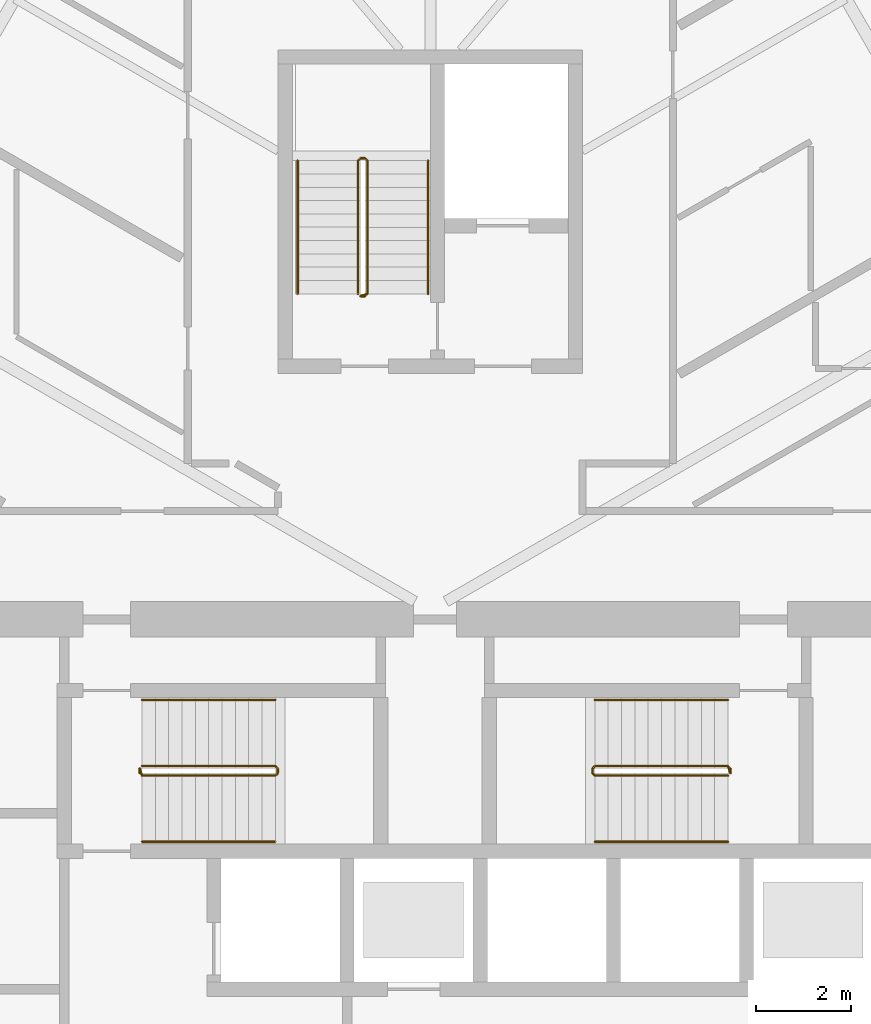
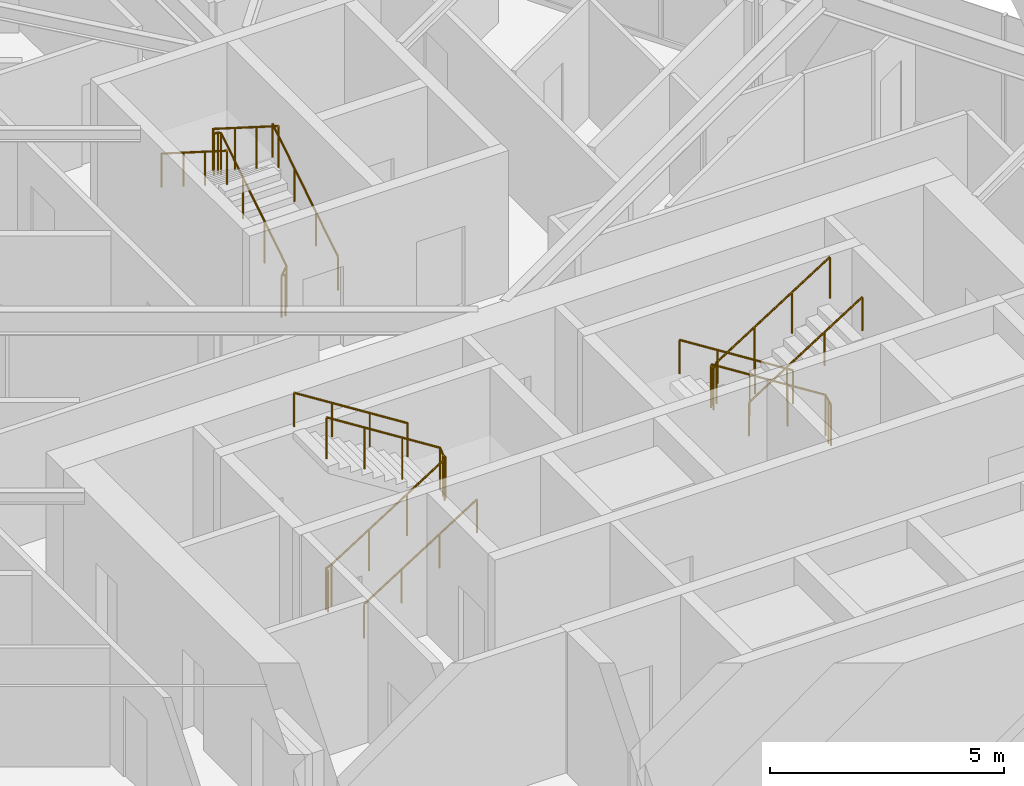
# One storey, part 18 of 19: 9 railings.
"""IFC4 building model written with IfcOpenShell, lengths in metres."""

from ifc_helpers import new_model, si_unit, direction, frame, origin, origin_2d, place, context, subcontext, project, spatial, circle, extrude, material, type_object, element, save


model = new_model("IFC4")

# Units and contexts
model_context = context("Model", 3, precision=1e-05, world=origin(), true_north=direction((0.0, 1.0)))
body_context = subcontext(model_context, "Body", "Model", "MODEL_VIEW")
ifc_project = project(units=[si_unit("LENGTHUNIT", "METRE"), si_unit("AREAUNIT", "SQUARE_METRE"), si_unit("VOLUMEUNIT", "CUBIC_METRE"), si_unit("PLANEANGLEUNIT", "RADIAN"), si_unit("MASSUNIT", "GRAM", prefix="KILO")], contexts=[model_context])

# Site, building, storey
site_placement = place(None, origin())
site = spatial("IfcSite", under=ifc_project, at=site_placement, CompositionType="ELEMENT")
building_placement = place(site_placement, origin())
building = spatial("IfcBuilding", under=site, at=building_placement, Name="Firuza Gate Tower and Library", CompositionType="ELEMENT")
storey_placement = place(building_placement, frame((0.0, 0.0, 218.199951171875)))
storey = spatial("IfcBuildingStorey", under=building, at=storey_placement, Name="L51", CompositionType="ELEMENT", Elevation=218.199951171875)

# Railings
ifc_material_1 = material(Name="Steel S355", Category="steel")
railing_type_1 = type_object("IfcRailingType", Name="Stair guard 1100", PredefinedType="GUARDRAIL", material=ifc_material_1)
railing_1_placement = place(storey_placement, frame((68.889892578125, 79.389892578125, 0.0)))
element("IfcRailing", 1, at=railing_1_placement, inside=storey, type_object=railing_type_1, Name="L51 ST1 stair guard 1", PredefinedType="GUARDRAIL", context=body_context, shape_type="SweptSolid", body=[
    extrude(circle(Radius=0.02392578125, at=origin_2d()), frame((0.0, 0.0, 1.076171875), z_axis=(0.0, 1.0, 0.0), x_axis=(-1.0, 0.0, 0.0)), (0.0, 0.0, 1.0), 0.10009765625),
    extrude(circle(Radius=0.02392578125, at=origin_2d()), frame((0.0, 0.10009765625, 1.076171875), z_axis=(0.210758951027, -0.631248760638, 0.74639511437), x_axis=(0.948528701346, 0.316691178788, 0.0)), (0.0, 0.0, 1.0), 0.237548828125),
    extrude(circle(Radius=0.02392578125, at=origin_2d()), frame((0.050048828125, -0.0498046875, 1.25341796875), z_axis=(0.844908973607, 0.0, 0.534910110503), x_axis=(0.0, 1.0, 0.0)), (0.0, 0.0, 1.0), 3.31396484375),
    extrude(circle(Radius=0.02392578125, at=origin_2d()), frame((2.85009765625, -0.0498046875, 3.02587890625), z_axis=(0.708833529934, 0.705375805398, 0.0), x_axis=(-0.705375805398, 0.708833529934, 0.0)), (0.0, 0.0, 1.0), 0.070556640625),
    extrude(circle(Radius=0.02392578125, at=origin_2d()), frame((2.900146484375, 0.0, 3.02587890625), z_axis=(0.0, 1.0, 0.0), x_axis=(-1.0, 0.0, 0.0)), (0.0, 0.0, 1.0), 0.10009765625),
    extrude(circle(Radius=0.02392578125, at=origin_2d()), frame((2.900146484375, 0.10009765625, 3.02587890625), z_axis=(-0.261922500866, 0.261922500866, 0.928866625022), x_axis=(-0.707106781187, -0.707106781187, 0.0)), (0.0, 0.0, 1.0), 0.191162109375),
    extrude(circle(Radius=0.02392578125, at=origin_2d()), frame((2.85009765625, 0.150146484375, 3.20361328125), z_axis=(-0.844908973607, 0.0, 0.534910110503), x_axis=(0.0, -1.0, 0.0)), (0.0, 0.0, 1.0), 3.31396484375),
    extrude(circle(Radius=0.02099609375, at=origin_2d()), origin(), (0.0, 0.0, 1.0), 1.052001953125),
    extrude(circle(Radius=0.02099609375, at=origin_2d()), frame((0.0, 0.10009765625, 0.0)), (0.0, 0.0, 1.0), 1.052001953125),
    extrude(circle(Radius=0.02099609375, at=origin_2d()), frame((0.050048828125, -0.0498046875, 0.17724609375)), (0.0, 0.0, 1.0), 1.052001953125),
    extrude(circle(Radius=0.02099609375, at=origin_2d()), frame((0.9833984375, -0.0498046875, 0.76806640625)), (0.0, 0.0, 1.0), 1.052001953125),
    extrude(circle(Radius=0.02099609375, at=origin_2d()), frame((1.916748046875, -0.0498046875, 1.359130859375)), (0.0, 0.0, 1.0), 1.052001953125),
    extrude(circle(Radius=0.02099609375, at=origin_2d()), frame((2.85009765625, -0.0498046875, 1.949951171875)), (0.0, 0.0, 1.0), 1.052001953125),
    extrude(circle(Radius=0.02099609375, at=origin_2d()), frame((2.900146484375, 0.0, 1.949951171875)), (0.0, 0.0, 1.0), 1.052001953125),
    extrude(circle(Radius=0.02099609375, at=origin_2d()), frame((2.900146484375, 0.10009765625, 1.949951171875)), (0.0, 0.0, 1.0), 1.052001953125),
    extrude(circle(Radius=0.02099609375, at=origin_2d()), frame((2.85009765625, 0.150146484375, 2.12744140625)), (0.0, 0.0, 1.0), 1.052001953125),
    extrude(circle(Radius=0.02099609375, at=origin_2d()), frame((1.916748046875, 0.150146484375, 2.71826171875)), (0.0, 0.0, 1.0), 1.052001953125),
    extrude(circle(Radius=0.02099609375, at=origin_2d()), frame((0.9833984375, 0.150146484375, 3.309326171875)), (0.0, 0.0, 1.0), 1.052001953125),
    extrude(circle(Radius=0.02099609375, at=origin_2d()), frame((0.050048828125, 0.150146484375, 3.900146484375)), (0.0, 0.0, 1.0), 1.052001953125),
])
railing_2_placement = place(storey_placement, frame((81.31005859375, 79.489990234375, 0.0)))
element("IfcRailing", 2, at=railing_2_placement, inside=storey, type_object=railing_type_1, Name="L51 ST2 stair guard 1", PredefinedType="GUARDRAIL", context=body_context, shape_type="SweptSolid", body=[
    extrude(circle(Radius=0.02392578125, at=origin_2d()), frame((0.0, 0.0, 1.076171875), z_axis=(0.0, -1.0, 0.0), x_axis=(1.0, 0.0, 0.0)), (0.0, 0.0, 1.0), 0.10009765625),
    extrude(circle(Radius=0.02392578125, at=origin_2d()), frame((0.0, -0.10009765625, 1.076171875), z_axis=(-0.210622194084, 0.631866582253, 0.74591079466), x_axis=(-0.948683298051, -0.316227766017, 0.0)), (0.0, 0.0, 1.0), 0.237548828125),
    extrude(circle(Radius=0.02392578125, at=origin_2d()), frame((-0.050048828125, 0.050048828125, 1.25341796875), z_axis=(-0.844908973607, 0.0, 0.534910110503), x_axis=(0.0, -1.0, 0.0)), (0.0, 0.0, 1.0), 3.31396484375),
    extrude(circle(Radius=0.02392578125, at=origin_2d()), frame((-2.85009765625, 0.050048828125, 3.02587890625), z_axis=(-0.707106781187, -0.707106781187, 0.0), x_axis=(0.707106781187, -0.707106781187, 0.0)), (0.0, 0.0, 1.0), 0.07080078125),
    extrude(circle(Radius=0.02392578125, at=origin_2d()), frame((-2.900146484375, 0.0, 3.02587890625), z_axis=(0.0, -1.0, 0.0), x_axis=(1.0, 0.0, 0.0)), (0.0, 0.0, 1.0), 0.10009765625),
    extrude(circle(Radius=0.02392578125, at=origin_2d()), frame((-2.900146484375, -0.10009765625, 3.02587890625), z_axis=(0.262009983441, -0.260731885961, 0.929176868105), x_axis=(0.705375805398, 0.708833529934, 0.0)), (0.0, 0.0, 1.0), 0.19091796875),
    extrude(circle(Radius=0.02392578125, at=origin_2d()), frame((-2.85009765625, -0.14990234375, 3.20361328125), z_axis=(0.844908973607, 0.0, 0.534910110503), x_axis=(0.0, 1.0, 0.0)), (0.0, 0.0, 1.0), 3.31396484375),
    extrude(circle(Radius=0.02099609375, at=origin_2d()), origin(), (0.0, 0.0, 1.0), 1.052001953125),
    extrude(circle(Radius=0.02099609375, at=origin_2d()), frame((0.0, -0.10009765625, 0.0)), (0.0, 0.0, 1.0), 1.052001953125),
    extrude(circle(Radius=0.02099609375, at=origin_2d()), frame((-0.050048828125, 0.050048828125, 0.17724609375)), (0.0, 0.0, 1.0), 1.052001953125),
    extrude(circle(Radius=0.02099609375, at=origin_2d()), frame((-0.9833984375, 0.050048828125, 0.76806640625)), (0.0, 0.0, 1.0), 1.052001953125),
    extrude(circle(Radius=0.02099609375, at=origin_2d()), frame((-1.916748046875, 0.050048828125, 1.359130859375)), (0.0, 0.0, 1.0), 1.052001953125),
    extrude(circle(Radius=0.02099609375, at=origin_2d()), frame((-2.85009765625, 0.050048828125, 1.949951171875)), (0.0, 0.0, 1.0), 1.052001953125),
    extrude(circle(Radius=0.02099609375, at=origin_2d()), frame((-2.900146484375, 0.0, 1.949951171875)), (0.0, 0.0, 1.0), 1.052001953125),
    extrude(circle(Radius=0.02099609375, at=origin_2d()), frame((-2.900146484375, -0.10009765625, 1.949951171875)), (0.0, 0.0, 1.0), 1.052001953125),
    extrude(circle(Radius=0.02099609375, at=origin_2d()), frame((-2.85009765625, -0.14990234375, 2.12744140625)), (0.0, 0.0, 1.0), 1.052001953125),
    extrude(circle(Radius=0.02099609375, at=origin_2d()), frame((-1.916748046875, -0.14990234375, 2.71826171875)), (0.0, 0.0, 1.0), 1.052001953125),
    extrude(circle(Radius=0.02099609375, at=origin_2d()), frame((-0.9833984375, -0.14990234375, 3.309326171875)), (0.0, 0.0, 1.0), 1.052001953125),
    extrude(circle(Radius=0.02099609375, at=origin_2d()), frame((-0.050048828125, -0.14990234375, 3.900146484375)), (0.0, 0.0, 1.0), 1.052001953125),
])
railing_3_placement = place(storey_placement, frame((73.6298828125, 89.419921875, 0.0)))
element("IfcRailing", 3, at=railing_3_placement, inside=storey, type_object=railing_type_1, Name="L51 ST3 stair guard 1", PredefinedType="GUARDRAIL", context=body_context, shape_type="SweptSolid", body=[
    extrude(circle(Radius=0.02392578125, at=origin_2d()), frame((0.0, 0.0, 1.076171875), z_axis=(-1.0, 0.0, 0.0), x_axis=(0.0, -1.0, 0.0)), (0.0, 0.0, 1.0), 0.099853515625),
    extrude(circle(Radius=0.02392578125, at=origin_2d()), frame((-0.099853515625, 0.0, 1.076171875), z_axis=(0.631248760638, 0.210758951027, 0.74639511437), x_axis=(-0.316691178788, 0.948528701346, 0.0)), (0.0, 0.0, 1.0), 0.237548828125),
    extrude(circle(Radius=0.02392578125, at=origin_2d()), frame((0.050048828125, 0.050048828125, 1.25341796875), z_axis=(0.0, 0.844908973607, 0.534910110503), x_axis=(-1.0, 0.0, 0.0)), (0.0, 0.0, 1.0), 3.31396484375),
    extrude(circle(Radius=0.02392578125, at=origin_2d()), frame((0.050048828125, 2.85009765625, 3.02587890625), z_axis=(-0.707106781187, 0.707106781187, 0.0), x_axis=(-0.707106781187, -0.707106781187, 0.0)), (0.0, 0.0, 1.0), 0.07080078125),
    extrude(circle(Radius=0.02392578125, at=origin_2d()), frame((0.0, 2.900146484375, 3.02587890625), z_axis=(-1.0, 0.0, 0.0), x_axis=(0.0, -1.0, 0.0)), (0.0, 0.0, 1.0), 0.099853515625),
    extrude(circle(Radius=0.02392578125, at=origin_2d()), frame((-0.099853515625, 2.900146484375, 3.02587890625), z_axis=(-0.261922500866, -0.261922500866, 0.928866625022), x_axis=(0.707106781187, -0.707106781187, 0.0)), (0.0, 0.0, 1.0), 0.191162109375),
    extrude(circle(Radius=0.02392578125, at=origin_2d()), frame((-0.14990234375, 2.85009765625, 3.20361328125), z_axis=(0.0, -0.844908973607, 0.534910110503), x_axis=(1.0, 0.0, 0.0)), (0.0, 0.0, 1.0), 3.31396484375),
    extrude(circle(Radius=0.02099609375, at=origin_2d()), origin(), (0.0, 0.0, 1.0), 1.052001953125),
    extrude(circle(Radius=0.02099609375, at=origin_2d()), frame((-0.099853515625, 0.0, 0.0)), (0.0, 0.0, 1.0), 1.052001953125),
    extrude(circle(Radius=0.02099609375, at=origin_2d()), frame((0.050048828125, 0.050048828125, 0.17724609375)), (0.0, 0.0, 1.0), 1.052001953125),
    extrude(circle(Radius=0.02099609375, at=origin_2d()), frame((0.050048828125, 0.9833984375, 0.76806640625)), (0.0, 0.0, 1.0), 1.052001953125),
    extrude(circle(Radius=0.02099609375, at=origin_2d()), frame((0.050048828125, 1.916748046875, 1.359130859375)), (0.0, 0.0, 1.0), 1.052001953125),
    extrude(circle(Radius=0.02099609375, at=origin_2d()), frame((0.050048828125, 2.85009765625, 1.949951171875)), (0.0, 0.0, 1.0), 1.052001953125),
    extrude(circle(Radius=0.02099609375, at=origin_2d()), frame((0.0, 2.900146484375, 1.949951171875)), (0.0, 0.0, 1.0), 1.052001953125),
    extrude(circle(Radius=0.02099609375, at=origin_2d()), frame((-0.099853515625, 2.900146484375, 1.949951171875)), (0.0, 0.0, 1.0), 1.052001953125),
    extrude(circle(Radius=0.02099609375, at=origin_2d()), frame((-0.14990234375, 2.85009765625, 2.12744140625)), (0.0, 0.0, 1.0), 1.052001953125),
    extrude(circle(Radius=0.02099609375, at=origin_2d()), frame((-0.14990234375, 1.916748046875, 2.71826171875)), (0.0, 0.0, 1.0), 1.052001953125),
    extrude(circle(Radius=0.02099609375, at=origin_2d()), frame((-0.14990234375, 0.9833984375, 3.309326171875)), (0.0, 0.0, 1.0), 1.052001953125),
    extrude(circle(Radius=0.02099609375, at=origin_2d()), frame((-0.14990234375, 0.050048828125, 3.900146484375)), (0.0, 0.0, 1.0), 1.052001953125),
])
ifc_material_2 = material(Name="Steel S355", Category="steel")
railing_type_2 = type_object("IfcRailingType", Name="Stair handrail 900", PredefinedType="HANDRAIL", material=ifc_material_2)
railing_4_placement = place(storey_placement, frame((68.93994140625, 77.949951171875, 0.17724609375)))
element("IfcRailing", 4, at=railing_4_placement, inside=storey, type_object=railing_type_2, Name="L51 ST1 stair handrail 1", PredefinedType="HANDRAIL", context=body_context, shape_type="SweptSolid", body=[
    extrude(circle(Radius=0.02392578125, at=origin_2d()), frame((0.0, 0.0, 0.8759765625), z_axis=(0.844908973607, 0.0, 0.534910110503), x_axis=(0.0, 1.0, 0.0)), (0.0, 0.0, 1.0), 3.31396484375),
    extrude(circle(Radius=0.02099609375, at=origin_2d()), origin(), (0.0, 0.0, 1.0), 0.851806640625),
    extrude(circle(Radius=0.02099609375, at=origin_2d()), frame((0.933349609375, 0.0, 0.5908203125)), (0.0, 0.0, 1.0), 0.851806640625),
    extrude(circle(Radius=0.02099609375, at=origin_2d()), frame((1.86669921875, 0.0, 1.181884765625)), (0.0, 0.0, 1.0), 0.851806640625),
    extrude(circle(Radius=0.02099609375, at=origin_2d()), frame((2.800048828125, 0.0, 1.772705078125)), (0.0, 0.0, 1.0), 0.851806640625),
])
for number, where, name in (
    (5, (71.739990234375, 80.929931640625, 2.12744140625), "L51 ST1 stair handrail 2"),
    (6, (81.260009765625, 80.929931640625, 0.17724609375), "L51 ST2 stair handrail 1"),
):
    element("IfcRailing", number, at=place(storey_placement, frame(where)), inside=storey, type_object=railing_type_2, Name=name, PredefinedType="HANDRAIL", context=body_context, shape_type="SweptSolid", body=[
        extrude(circle(Radius=0.02392578125, at=origin_2d()), frame((0.0, 0.0, 0.8759765625), z_axis=(-0.844908973607, 0.0, 0.534910110503), x_axis=(0.0, -1.0, 0.0)), (0.0, 0.0, 1.0), 3.31396484375),
        extrude(circle(Radius=0.02099609375, at=origin_2d()), origin(), (0.0, 0.0, 1.0), 0.851806640625),
        extrude(circle(Radius=0.02099609375, at=origin_2d()), frame((-0.933349609375, 0.0, 0.5908203125)), (0.0, 0.0, 1.0), 0.851806640625),
        extrude(circle(Radius=0.02099609375, at=origin_2d()), frame((-1.86669921875, 0.0, 1.181884765625)), (0.0, 0.0, 1.0), 0.851806640625),
        extrude(circle(Radius=0.02099609375, at=origin_2d()), frame((-2.800048828125, 0.0, 1.772705078125)), (0.0, 0.0, 1.0), 0.851806640625),
    ])
railing_5_placement = place(storey_placement, frame((78.4599609375, 77.949951171875, 2.12744140625)))
element("IfcRailing", 7, at=railing_5_placement, inside=storey, type_object=railing_type_2, Name="L51 ST2 stair handrail 2", PredefinedType="HANDRAIL", context=body_context, shape_type="SweptSolid", body=[
    extrude(circle(Radius=0.02392578125, at=origin_2d()), frame((0.0, 0.0, 0.8759765625), z_axis=(0.844908973607, 0.0, 0.534910110503), x_axis=(0.0, 1.0, 0.0)), (0.0, 0.0, 1.0), 3.31396484375),
    extrude(circle(Radius=0.02099609375, at=origin_2d()), origin(), (0.0, 0.0, 1.0), 0.851806640625),
    extrude(circle(Radius=0.02099609375, at=origin_2d()), frame((0.933349609375, 0.0, 0.5908203125)), (0.0, 0.0, 1.0), 0.851806640625),
    extrude(circle(Radius=0.02099609375, at=origin_2d()), frame((1.86669921875, 0.0, 1.181884765625)), (0.0, 0.0, 1.0), 0.851806640625),
    extrude(circle(Radius=0.02099609375, at=origin_2d()), frame((2.800048828125, 0.0, 1.772705078125)), (0.0, 0.0, 1.0), 0.851806640625),
])
railing_6_placement = place(storey_placement, frame((74.949951171875, 89.469970703125, 0.17724609375)))
element("IfcRailing", 8, at=railing_6_placement, inside=storey, type_object=railing_type_2, Name="L51 ST3 stair handrail 1", PredefinedType="HANDRAIL", context=body_context, shape_type="SweptSolid", body=[
    extrude(circle(Radius=0.02392578125, at=origin_2d()), frame((0.0, 0.0, 0.8759765625), z_axis=(0.0, 0.844908973607, 0.534910110503), x_axis=(-1.0, 0.0, 0.0)), (0.0, 0.0, 1.0), 3.31396484375),
    extrude(circle(Radius=0.02099609375, at=origin_2d()), origin(), (0.0, 0.0, 1.0), 0.851806640625),
    extrude(circle(Radius=0.02099609375, at=origin_2d()), frame((0.0, 0.933349609375, 0.5908203125)), (0.0, 0.0, 1.0), 0.851806640625),
    extrude(circle(Radius=0.02099609375, at=origin_2d()), frame((0.0, 1.86669921875, 1.181884765625)), (0.0, 0.0, 1.0), 0.851806640625),
    extrude(circle(Radius=0.02099609375, at=origin_2d()), frame((0.0, 2.800048828125, 1.772705078125)), (0.0, 0.0, 1.0), 0.851806640625),
])
railing_7_placement = place(storey_placement, frame((72.2099609375, 92.27001953125, 2.12744140625)))
element("IfcRailing", 9, at=railing_7_placement, inside=storey, type_object=railing_type_2, Name="L51 ST3 stair handrail 2", PredefinedType="HANDRAIL", context=body_context, shape_type="SweptSolid", body=[
    extrude(circle(Radius=0.02392578125, at=origin_2d()), frame((0.0, 0.0, 0.8759765625), z_axis=(0.0, -0.844908973607, 0.534910110503), x_axis=(1.0, 0.0, 0.0)), (0.0, 0.0, 1.0), 3.31396484375),
    extrude(circle(Radius=0.02099609375, at=origin_2d()), origin(), (0.0, 0.0, 1.0), 0.851806640625),
    extrude(circle(Radius=0.02099609375, at=origin_2d()), frame((0.0, -0.933349609375, 0.5908203125)), (0.0, 0.0, 1.0), 0.851806640625),
    extrude(circle(Radius=0.02099609375, at=origin_2d()), frame((0.0, -1.86669921875, 1.181884765625)), (0.0, 0.0, 1.0), 0.851806640625),
    extrude(circle(Radius=0.02099609375, at=origin_2d()), frame((0.0, -2.800048828125, 1.772705078125)), (0.0, 0.0, 1.0), 0.851806640625),
])

save(model, "model.ifc")
